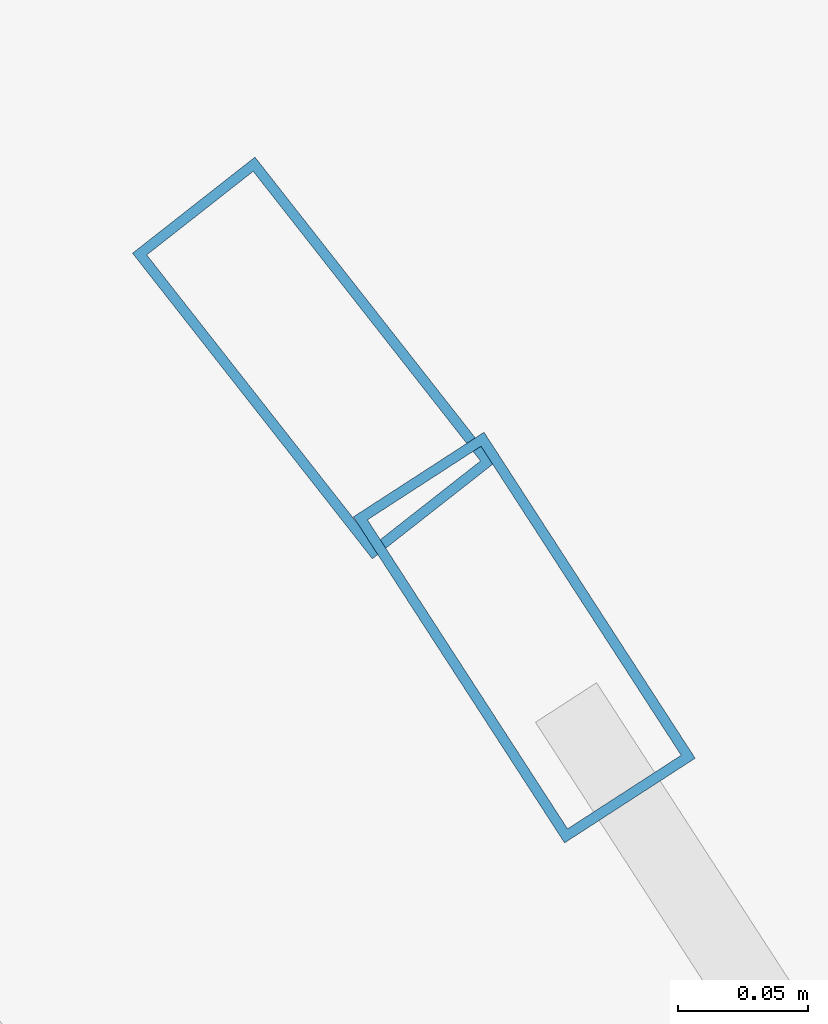
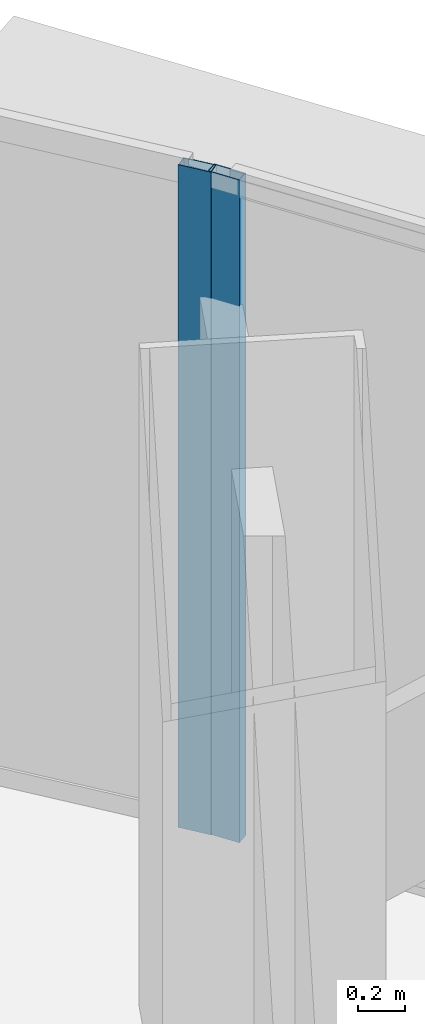
# One storey, part 20 of 39: 2 members, 2 elements without a shape of their own.
"""IFC4 building model written with IfcOpenShell, lengths in metres."""

from ifc_helpers import new_model, si_unit, direction, frame, origin, origin_2d, place, context, subcontext, project, spatial, hollow_rectangle, extrude, source, transform, mapped, material, layer, layer_set, material_profile, profile_set, type_object, element, aggregate, save


model = new_model("IFC4")

# Units and contexts
model_context = context("Model", 3, precision=1e-05, world=origin(), true_north=direction((0.0, 1.0)))
body_context = subcontext(model_context, "Body", "Model", "MODEL_VIEW")
ifc_project = project(units=[si_unit("LENGTHUNIT", "METRE"), si_unit("AREAUNIT", "SQUARE_METRE"), si_unit("VOLUMEUNIT", "CUBIC_METRE"), si_unit("PLANEANGLEUNIT", "RADIAN"), si_unit("MASSUNIT", "GRAM", prefix="KILO"), si_unit("THERMODYNAMICTEMPERATUREUNIT", "KELVIN"), si_unit("POWERUNIT", "WATT")], contexts=[model_context])

# Site, building, storey
site_placement = place(None, origin())
site = spatial("IfcSite", under=ifc_project, at=site_placement, CompositionType="ELEMENT")
building_placement = place(site_placement, origin())
building = spatial("IfcBuilding", under=site, at=building_placement, Name="Yunzhuo Pagoda Commons", CompositionType="ELEMENT")
storey_placement = place(building_placement, frame((0.0, 0.0, 144.550048828125)))
storey = spatial("IfcBuildingStorey", under=building, at=storey_placement, Name="L36", CompositionType="ELEMENT", Elevation=144.550048828125)

# Curtain wall, member
ifc_material = material(Name="Anodized aluminium 6063-T6", Category="aluminium")
ifc_layer = layer(ifc_material, 0.14990234375)
ifc_layer_set = layer_set([ifc_layer], Name="Anodized aluminium 6063-T6")
curtain_wall_type = type_object("IfcCurtainWallType", Name="CW-MID Mid-Zone Ribbon Curtain Wall", PredefinedType="NOTDEFINED", material=ifc_layer_set)
curtain_wall_1_placement = place(storey_placement, origin())
curtain_wall_1 = element("IfcCurtainWall", 1, at=curtain_wall_1_placement, inside=storey, type_object=curtain_wall_type, Name="L36 curtain wall CW-L36-F2B4", PredefinedType="NOTDEFINED")
ifc_material_profile = material_profile(ifc_material, hollow_rectangle(XDim=0.06005859375, YDim=0.14990234375, WallThickness=0.00390625, at=origin_2d()), Name="Anodized aluminium 6063-T6")
ifc_profile_set = profile_set([ifc_material_profile], Name="Anodized aluminium 6063-T6")
member_type = type_object("IfcMemberType", Name="CW-MID-M Mullion RHS 150x60x4", PredefinedType="MULLION", material=ifc_profile_set)
shared_shape = source(origin(), body_context, "Body", "SweptSolid", [
    extrude(hollow_rectangle(XDim=0.06005859375, YDim=0.14990234375, WallThickness=0.00390625, at=origin_2d()), origin(), (0.0, 0.0, 1.0), 3.419921875),
])
member_1_placement = place(storey_placement, frame((64.117431640625, 69.837890625, 0.0), z_axis=(0.0, 0.0, 1.0), x_axis=(-0.839320281383, -0.543637255216, 0.0)))
member_1 = element("IfcMember", 2, at=member_1_placement, type_object=member_type, Name="CW mullion 2", PredefinedType="MULLION", context=body_context, shape_type="MappedRepresentation", body=[
    mapped(shared_shape, transform((0.0, 0.0, 0.0), scale=1.0)),
])
aggregate(curtain_wall_1, [member_1])

curtain_wall_2_placement = place(storey_placement, origin())
curtain_wall_2 = element("IfcCurtainWall", 3, at=curtain_wall_2_placement, inside=storey, type_object=curtain_wall_type, Name="L36 curtain wall CW-L36-F2B5", PredefinedType="NOTDEFINED")
member_2_placement = place(storey_placement, frame((64.0361328125, 69.94580078125, 0.0), z_axis=(0.0, 0.0, 1.0), x_axis=(-0.786664694453, -0.617380481147, 0.0)))
member_2 = element("IfcMember", 4, at=member_2_placement, type_object=member_type, Name="CW mullion 1", PredefinedType="MULLION", context=body_context, shape_type="MappedRepresentation", body=[
    mapped(shared_shape, transform((0.0, 0.0, 0.0), scale=1.0)),
])
aggregate(curtain_wall_2, [member_2])

save(model, "model.ifc")
